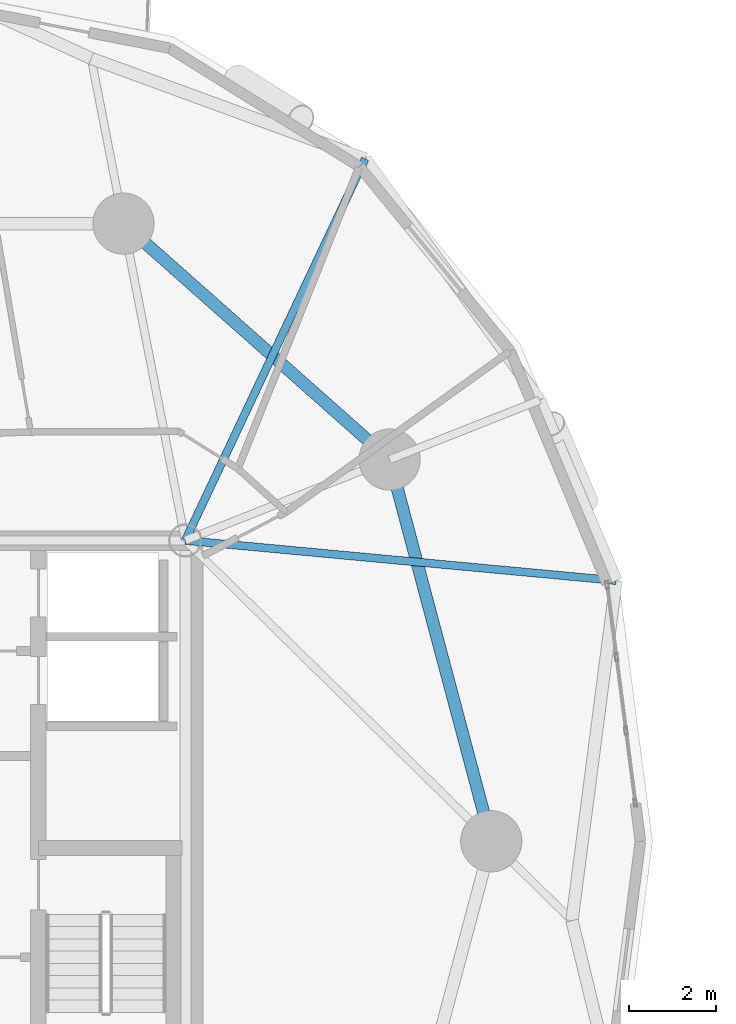
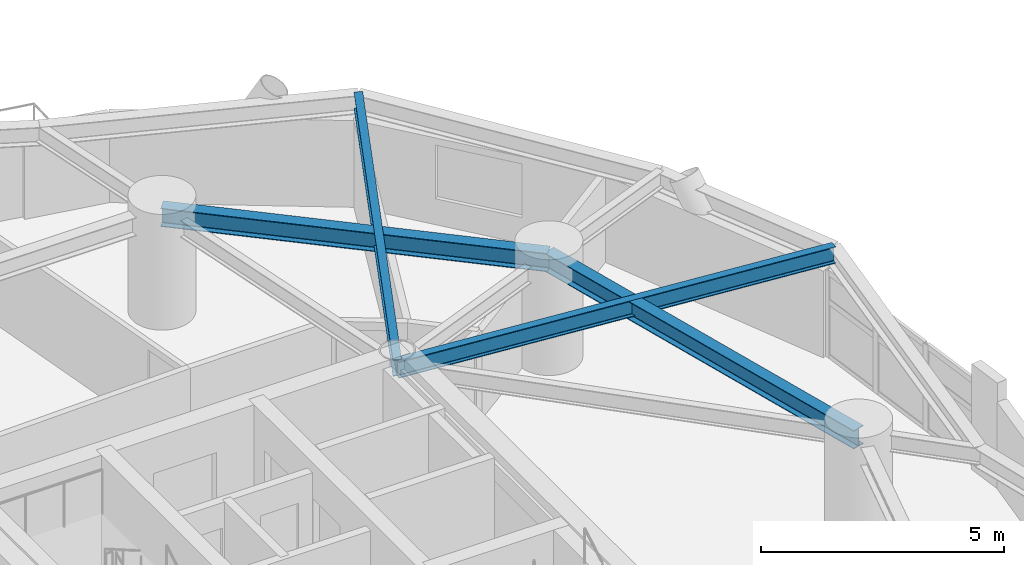
# One storey, part 3 of 17: 4 beams.
"""IFC4 building model written with IfcOpenShell, lengths in metres."""

from ifc_helpers import new_model, si_unit, direction, frame, origin, origin_2d, place, context, subcontext, project, spatial, i_section, extrude, material, material_profile, profile_set, type_object, element, save


model = new_model("IFC4")

# Units and contexts
model_context = context("Model", 3, precision=1e-05, world=origin(), true_north=direction((0.0, 1.0)))
body_context = subcontext(model_context, "Body", "Model", "MODEL_VIEW")
ifc_project = project(units=[si_unit("LENGTHUNIT", "METRE"), si_unit("AREAUNIT", "SQUARE_METRE"), si_unit("VOLUMEUNIT", "CUBIC_METRE"), si_unit("PLANEANGLEUNIT", "RADIAN"), si_unit("MASSUNIT", "GRAM", prefix="KILO")], contexts=[model_context])

# Site, building, storey
site_placement = place(None, origin())
site = spatial("IfcSite", under=ifc_project, at=site_placement, CompositionType="ELEMENT")
building_placement = place(site_placement, origin())
building = spatial("IfcBuilding", under=site, at=building_placement, Name="Cununo Teusaquillo Station Towers", CompositionType="ELEMENT")
storey_placement = place(building_placement, frame((0.0, 0.0, 113.800048828125)))
storey = spatial("IfcBuildingStorey", under=building, at=storey_placement, Name="L36", CompositionType="ELEMENT", Elevation=113.800048828125)

# Beams
ifc_material_1 = material(Name="Steel ASTM A572 Grade 50", Category="steel")
ifc_material_profile_1 = material_profile(ifc_material_1, i_section(OverallWidth=0.180908203125, OverallDepth=0.4169921875, WebThickness=0.010986328125, FlangeThickness=0.018310546875, FilletRadius=0.012939453125, at=origin_2d()), Name="W16X57")
ifc_profile_set_1 = profile_set([ifc_material_profile_1], Name="Steel ASTM A572 Grade 50")
beam_type_1 = type_object("IfcBeamType", Name="BM-JOIST-1", PredefinedType="JOIST", material=ifc_profile_set_1)
beam_1_placement = place(storey_placement, frame((21.675048828125, 31.3798828125, 2.46142578125), z_axis=(0.995678537907, -0.09286683558, 0.0), x_axis=(0.09286683558, 0.995678537907, 0.0)))
element("IfcBeam", 1, at=beam_1_placement, inside=storey, type_object=beam_type_1, Name="L36 Tower A Radial Spandrel Joist V01", PredefinedType="JOIST", context=body_context, shape_type="SweptSolid", body=[
    extrude(i_section(OverallWidth=0.180908203125, OverallDepth=0.4169921875, WebThickness=0.010986328125, FlangeThickness=0.018310546875, FilletRadius=0.012939453125, at=origin_2d()), origin(), (0.0, 0.0, 1.0), 9.895263671875),
])
beam_2_placement = place(storey_placement, frame((21.675048828125, 31.3798828125, 2.46142578125), z_axis=(0.426319838016, 0.904572493344, 0.0), x_axis=(-0.904572493344, 0.426319838016, 0.0)))
element("IfcBeam", 2, at=beam_2_placement, inside=storey, type_object=beam_type_1, Name="L36 Tower A Radial Spandrel Joist V03", PredefinedType="JOIST", context=body_context, shape_type="SweptSolid", body=[
    extrude(i_section(OverallWidth=0.180908203125, OverallDepth=0.4169921875, WebThickness=0.010986328125, FlangeThickness=0.018310546875, FilletRadius=0.012939453125, at=origin_2d()), origin(), (0.0, 0.0, 1.0), 9.646728515625),
])
ifc_material_2 = material(Name="Steel ASTM A572 Grade 50", Category="steel")
ifc_material_profile_2 = material_profile(ifc_material_2, i_section(OverallWidth=0.280029296875, OverallDepth=0.462890625, WebThickness=0.0107421875, FlangeThickness=0.017333984375, FilletRadius=0.013916015625, at=origin_2d()), Name="W18X76")
ifc_profile_set_2 = profile_set([ifc_material_profile_2], Name="Steel ASTM A572 Grade 50")
beam_type_2 = type_object("IfcBeamType", Name="BM-RING-Z2", PredefinedType="SPANDREL", material=ifc_profile_set_2)
beam_3_placement = place(storey_placement, frame((28.672119140625, 24.5, 2.4384765625), z_axis=(-0.257363196347, 0.966314744359, 0.0), x_axis=(-0.966314744359, -0.257363196347, 0.0)))
element("IfcBeam", 3, at=beam_3_placement, inside=storey, type_object=beam_type_2, Name="L36 Tower A Structural Column Ring Girder 01", PredefinedType="SPANDREL", context=body_context, shape_type="SweptSolid", body=[
    extrude(i_section(OverallWidth=0.280029296875, OverallDepth=0.462890625, WebThickness=0.0107421875, FlangeThickness=0.017333984375, FilletRadius=0.013916015625, at=origin_2d()), origin(), (0.0, 0.0, 1.0), 9.03271484375),
])
beam_4_placement = place(storey_placement, frame((26.347412109375, 33.228515625, 2.4384765625), z_axis=(-0.74832120039, 0.66333655187, 0.0), x_axis=(-0.66333655187, -0.74832120039, 0.0)))
element("IfcBeam", 4, at=beam_4_placement, inside=storey, type_object=beam_type_2, Name="L36 Tower A Structural Column Ring Girder 02", PredefinedType="SPANDREL", context=body_context, shape_type="SweptSolid", body=[
    extrude(i_section(OverallWidth=0.280029296875, OverallDepth=0.462890625, WebThickness=0.0107421875, FlangeThickness=0.017333984375, FilletRadius=0.013916015625, at=origin_2d()), origin(), (0.0, 0.0, 1.0), 8.1328125),
])

save(model, "model.ifc")
